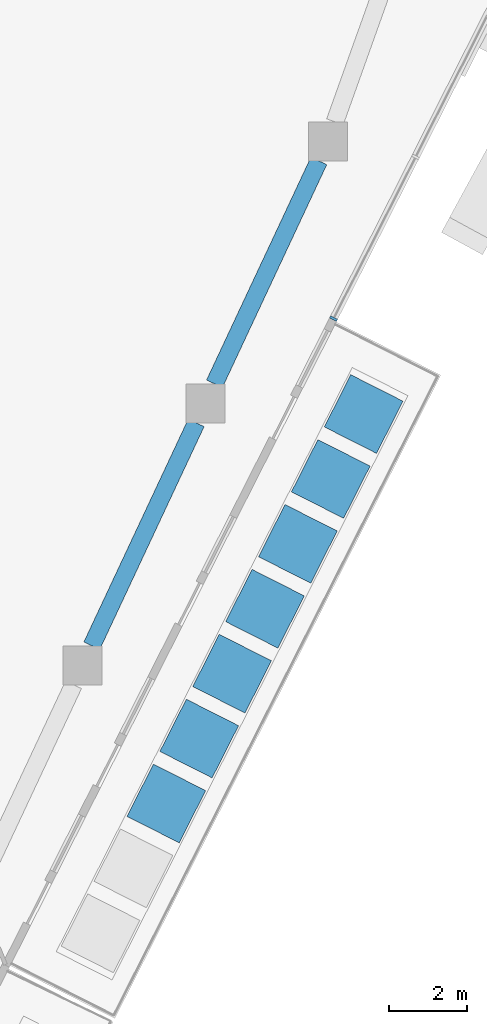
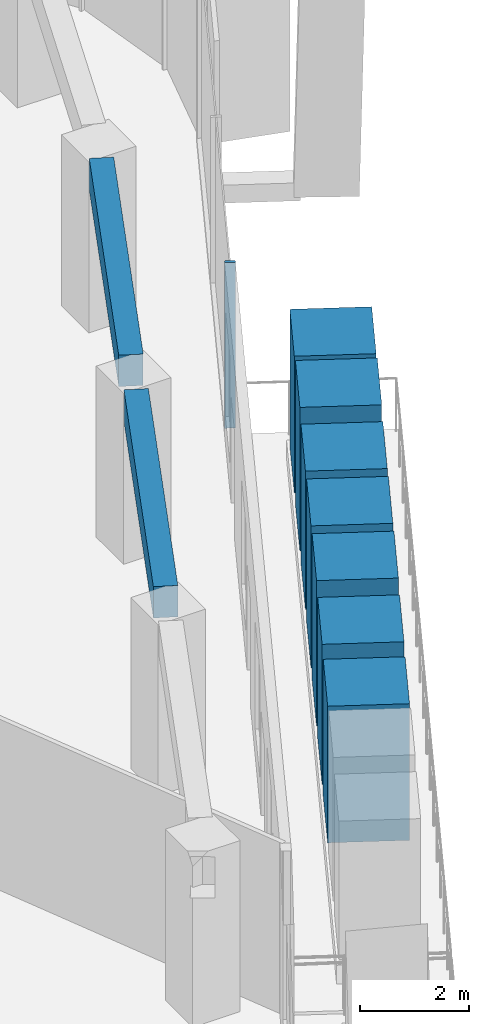
# One storey, part 5 of 23: 8 members, 2 beams, 1 element without a shape of its own.
"""IFC4 building model written with IfcOpenShell, lengths in metres."""

from ifc_helpers import new_model, si_unit, direction, frame, origin, origin_2d, place, context, subcontext, project, spatial, rectangle, extrude, material, layer, layer_set, material_profile, profile_set, type_object, element, aggregate, save


model = new_model("IFC4")

# Units and contexts
model_context = context("Model", 3, precision=1e-05, world=origin(), true_north=direction((0.0, 1.0)))
body_context = subcontext(model_context, "Body", "Model", "MODEL_VIEW")
ifc_project = project(units=[si_unit("LENGTHUNIT", "METRE"), si_unit("AREAUNIT", "SQUARE_METRE"), si_unit("VOLUMEUNIT", "CUBIC_METRE"), si_unit("PLANEANGLEUNIT", "RADIAN"), si_unit("MASSUNIT", "GRAM", prefix="KILO")], contexts=[model_context])

# Site, building, storey
site_placement = place(None, origin())
site = spatial("IfcSite", under=ifc_project, at=site_placement, CompositionType="ELEMENT")
building_placement = place(site_placement, origin())
building = spatial("IfcBuilding", under=site, at=building_placement, Name="Dongbaek Canopy Tower", CompositionType="ELEMENT")
storey_placement = place(building_placement, frame((0.0, 0.0, 319.39990234375)))
storey = spatial("IfcBuildingStorey", under=building, at=storey_placement, Name="L68", CompositionType="ELEMENT", Elevation=319.39990234375)

# Curtain wall, member
ifc_material_1 = material(Name="Aluminium 6063-T6 pale anodised", Category="aluminium")
ifc_layer = layer(ifc_material_1, 0.199951171875)
ifc_layer_set = layer_set([ifc_layer], Name="CW-1 unitised tower curtain wall")
curtain_wall_type = type_object("IfcCurtainWallType", Name="CW-1 unitised tower curtain wall", PredefinedType="NOTDEFINED", material=ifc_layer_set)
curtain_wall_placement = place(storey_placement, origin())
curtain_wall = element("IfcCurtainWall", 1, at=curtain_wall_placement, inside=storey, type_object=curtain_wall_type, Name="CW-1 curtain wall F5.1", PredefinedType="NOTDEFINED")
ifc_material_2 = material(Name="Aluminium 6063-T6 pale anodised", Category="aluminium")
ifc_material_profile_1 = material_profile(ifc_material_2, rectangle(XDim=0.199951171875, YDim=0.06005859375, at=origin_2d()), Name="CW-1 mullion 60 x 200")
ifc_profile_set_1 = profile_set([ifc_material_profile_1], Name="Aluminium 6063-T6 pale anodised")
member_type_1 = type_object("IfcMemberType", Name="CW-1 mullion 60 x 200", PredefinedType="MULLION", material=ifc_profile_set_1)
member_1_placement = place(storey_placement, frame((28.495361328125, -4.710693359375, 0.1201171875), z_axis=(0.0, 0.0, 1.0), x_axis=(0.892033145359, -0.451969985266, 0.0)))
member_1 = element("IfcMember", 2, at=member_1_placement, type_object=member_type_1, Name="CW-1 mullion F5.1.1", PredefinedType="MULLION", context=body_context, shape_type="SweptSolid", body=[
    extrude(rectangle(XDim=0.199951171875, YDim=0.06005859375, at=origin_2d()), origin(), (0.0, 0.0, 1.0), 3.699951171875),
])
aggregate(curtain_wall, [member_1])

# Beams
ifc_material_3 = material(Name="Concrete C60", Category="concrete")
ifc_material_profile_2 = material_profile(ifc_material_3, rectangle(XDim=0.449951171875, YDim=0.699951171875, at=origin_2d()), Name="RC EDGE BEAM 450x700 C60")
ifc_profile_set_2 = profile_set([ifc_material_profile_2], Name="Concrete C60")
beam_type = type_object("IfcBeamType", Name="RC EDGE BEAM 450x700 C60", PredefinedType="BEAM", material=ifc_profile_set_2)
beam_1_placement = place(storey_placement, frame((28.116943359375, -0.669921875, 3.47021484375), z_axis=(-0.42401310583, -0.905656052861, 0.0), x_axis=(0.905656052861, -0.42401310583, 0.0)))
element("IfcBeam", 3, at=beam_1_placement, inside=storey, type_object=beam_type, Name="EDGEBEAM:L68:22", PredefinedType="BEAM", context=body_context, shape_type="SweptSolid", body=[
    extrude(rectangle(XDim=0.449951171875, YDim=0.699951171875, at=origin_2d()), origin(), (0.0, 0.0, 1.0), 6.3037109375),
])
beam_2_placement = place(storey_placement, frame((24.975830078125, -7.37890625, 3.47021484375), z_axis=(-0.424108398663, -0.905611432229, 0.0), x_axis=(0.905611432229, -0.424108398663, 0.0)))
element("IfcBeam", 4, at=beam_2_placement, inside=storey, type_object=beam_type, Name="EDGEBEAM:L68:23", PredefinedType="BEAM", context=body_context, shape_type="SweptSolid", body=[
    extrude(rectangle(XDim=0.449951171875, YDim=0.699951171875, at=origin_2d()), origin(), (0.0, 0.0, 1.0), 6.303955078125),
])

# Members
ifc_material_4 = material(Name="Concrete C40/50 planter mass with planting", Category="concrete")
ifc_material_profile_3 = material_profile(ifc_material_4, rectangle(XDim=1.5, YDim=1.5, at=origin_2d()), Name="Terrace PLANTER shrub mass 1500 x 1500")
ifc_profile_set_3 = profile_set([ifc_material_profile_3], Name="Concrete C40/50 planter mass with planting")
member_type_2 = type_object("IfcMemberType", Name="Terrace PLANTER shrub mass 1500 x 1500", PredefinedType="USERDEFINED", material=ifc_profile_set_3)
member_2_placement = place(storey_placement, frame((24.211181640625, -17.126708984375, 0.420166015625), z_axis=(0.0, 0.0, 1.0), x_axis=(0.892033145359, -0.451969985266, 0.0)))
element("IfcMember", 5, at=member_2_placement, inside=storey, type_object=member_type_2, Name="Planter shrubs L68 4.3", ObjectType="PLANTER", PredefinedType="USERDEFINED", context=body_context, shape_type="SweptSolid", body=[
    extrude(rectangle(XDim=1.5, YDim=1.5, at=origin_2d()), origin(), (0.0, 0.0, 1.0), 3.050048828125),
])
member_3_placement = place(storey_placement, frame((25.053466796875, -15.46435546875, 0.420166015625), z_axis=(0.0, 0.0, 1.0), x_axis=(0.892033145359, -0.451969985266, 0.0)))
element("IfcMember", 6, at=member_3_placement, inside=storey, type_object=member_type_2, Name="Planter shrubs L68 4.4", ObjectType="PLANTER", PredefinedType="USERDEFINED", context=body_context, shape_type="SweptSolid", body=[
    extrude(rectangle(XDim=1.5, YDim=1.5, at=origin_2d()), origin(), (0.0, 0.0, 1.0), 3.1298828125),
])
member_4_placement = place(storey_placement, frame((25.8955078125, -13.80224609375, 0.420166015625), z_axis=(0.0, 0.0, 1.0), x_axis=(0.892033145359, -0.451969985266, 0.0)))
element("IfcMember", 7, at=member_4_placement, inside=storey, type_object=member_type_2, Name="Planter shrubs L68 4.5", ObjectType="PLANTER", PredefinedType="USERDEFINED", context=body_context, shape_type="SweptSolid", body=[
    extrude(rectangle(XDim=1.5, YDim=1.5, at=origin_2d()), origin(), (0.0, 0.0, 1.0), 3.25),
])
member_5_placement = place(storey_placement, frame((26.73779296875, -12.14013671875, 0.420166015625), z_axis=(0.0, 0.0, 1.0), x_axis=(0.892033145359, -0.451969985266, 0.0)))
element("IfcMember", 8, at=member_5_placement, inside=storey, type_object=member_type_2, Name="Planter shrubs L68 4.6", ObjectType="PLANTER", PredefinedType="USERDEFINED", context=body_context, shape_type="SweptSolid", body=[
    extrude(rectangle(XDim=1.5, YDim=1.5, at=origin_2d()), origin(), (0.0, 0.0, 1.0), 3.169921875),
])
member_6_placement = place(storey_placement, frame((27.579833984375, -10.47802734375, 0.420166015625), z_axis=(0.0, 0.0, 1.0), x_axis=(0.892033145359, -0.451969985266, 0.0)))
element("IfcMember", 9, at=member_6_placement, inside=storey, type_object=member_type_2, Name="Planter shrubs L68 4.7", ObjectType="PLANTER", PredefinedType="USERDEFINED", context=body_context, shape_type="SweptSolid", body=[
    extrude(rectangle(XDim=1.5, YDim=1.5, at=origin_2d()), origin(), (0.0, 0.0, 1.0), 3.08984375),
])
member_7_placement = place(storey_placement, frame((28.422119140625, -8.81591796875, 0.420166015625), z_axis=(0.0, 0.0, 1.0), x_axis=(0.892033145359, -0.451969985266, 0.0)))
element("IfcMember", 10, at=member_7_placement, inside=storey, type_object=member_type_2, Name="Planter shrubs L68 4.8", ObjectType="PLANTER", PredefinedType="USERDEFINED", context=body_context, shape_type="SweptSolid", body=[
    extrude(rectangle(XDim=1.5, YDim=1.5, at=origin_2d()), origin(), (0.0, 0.0, 1.0), 3.2099609375),
])
member_8_placement = place(storey_placement, frame((29.26416015625, -7.15380859375, 0.420166015625), z_axis=(0.0, 0.0, 1.0), x_axis=(0.892033145359, -0.451969985266, 0.0)))
element("IfcMember", 11, at=member_8_placement, inside=storey, type_object=member_type_2, Name="Planter shrubs L68 4.9", ObjectType="PLANTER", PredefinedType="USERDEFINED", context=body_context, shape_type="SweptSolid", body=[
    extrude(rectangle(XDim=1.5, YDim=1.5, at=origin_2d()), origin(), (0.0, 0.0, 1.0), 3.050048828125),
])

save(model, "model.ifc")
